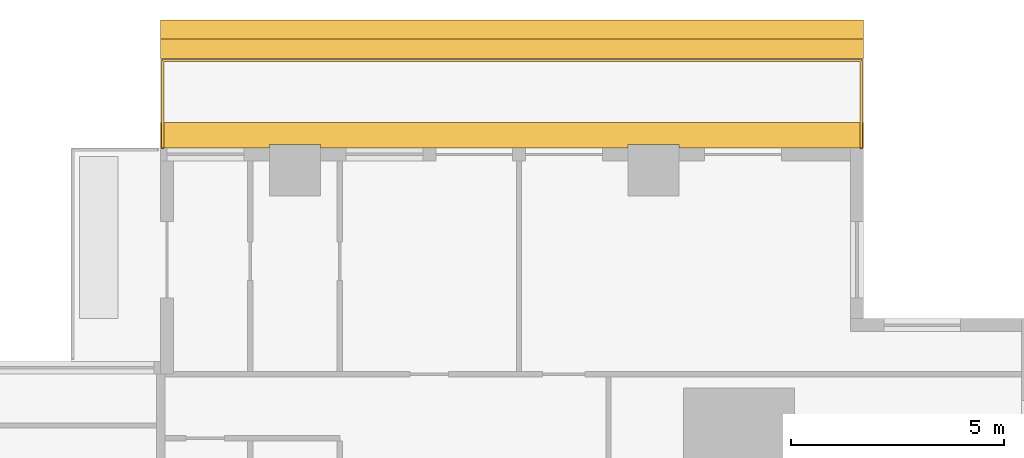
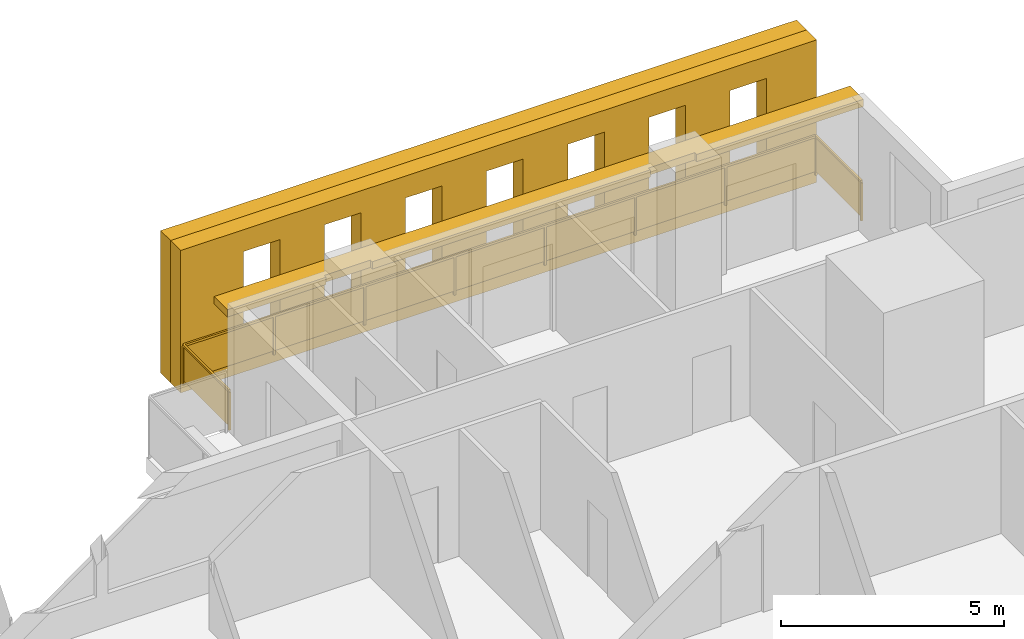
# One storey, part 16 of 16: 3 shading devices, 1 railing.
"""IFC4 building model written with IfcOpenShell, lengths in metres."""

from ifc_helpers import new_model, si_unit, direction, frame, origin, origin_2d, place, context, subcontext, project, spatial, polyline, rectangle, outline, extrude, material, layer, layer_set, type_object, element, save


model = new_model("IFC4")

# Units and contexts
model_context = context("Model", 3, precision=1e-05, world=origin(), true_north=direction((0.0, 1.0)))
body_context = subcontext(model_context, "Body", "Model", "MODEL_VIEW")
ifc_project = project(units=[si_unit("LENGTHUNIT", "METRE"), si_unit("AREAUNIT", "SQUARE_METRE"), si_unit("VOLUMEUNIT", "CUBIC_METRE"), si_unit("PLANEANGLEUNIT", "RADIAN"), si_unit("MASSUNIT", "GRAM", prefix="KILO")], contexts=[model_context])

# Site, building, storey
site_placement = place(None, origin())
site = spatial("IfcSite", under=ifc_project, at=site_placement, CompositionType="ELEMENT")
building_placement = place(site_placement, origin())
building = spatial("IfcBuilding", under=site, at=building_placement, Name="Khepri Terraces", CompositionType="ELEMENT")
storey_placement = place(building_placement, frame((0.0, 0.0, 141.60009765625)))
storey = spatial("IfcBuildingStorey", under=building, at=storey_placement, Name="L33", CompositionType="ELEMENT", Elevation=141.60009765625)

# Railing
ifc_material_1 = material(Name="Stainless steel grade 316", Category="steel")
railing_type = type_object("IfcRailingType", Name="GRD-BAL-1100", PredefinedType="GUARDRAIL", material=ifc_material_1)
railing_placement = place(storey_placement, frame((21.669921875, 25.719970703125, 0.0)))
element("IfcRailing", 1, at=railing_placement, inside=storey, type_object=railing_type, Name="Balcony guard L33 N", PredefinedType="GUARDRAIL", context=body_context, shape_type="SweptSolid", body=[
    extrude(rectangle(XDim=0.050048828125, YDim=0.06005859375, at=origin_2d()), frame((0.0, 0.0, 1.070068359375), z_axis=(0.0, 1.0, 0.0), x_axis=(-1.0, 0.0, 0.0)), (0.0, 0.0, 1.0), 2.050048828125),
    extrude(rectangle(XDim=2.0, YDim=0.011962890625, at=origin_2d()), frame((0.0, 1.02490234375, 0.10009765625), z_axis=(0.0, 0.0, 1.0), x_axis=(0.0, 1.0, 0.0)), (0.0, 0.0, 1.0), 0.93994140625),
    extrude(rectangle(XDim=0.050048828125, YDim=0.06005859375, at=origin_2d()), frame((0.0, 2.050048828125, 1.070068359375), z_axis=(-1.0, 0.0, 0.0), x_axis=(0.0, -1.0, 0.0)), (0.0, 0.0, 1.0), 16.369873046875),
    extrude(rectangle(XDim=2.28857421875, YDim=0.011962890625, at=origin_2d()), frame((-1.169189453125, 2.050048828125, 0.10009765625), z_axis=(0.0, 0.0, 1.0), x_axis=(-1.0, 0.0, 0.0)), (0.0, 0.0, 1.0), 0.93994140625),
    extrude(rectangle(XDim=2.28857421875, YDim=0.011962890625, at=origin_2d()), frame((-3.5078125, 2.050048828125, 0.10009765625), z_axis=(0.0, 0.0, 1.0), x_axis=(-1.0, 0.0, 0.0)), (0.0, 0.0, 1.0), 0.93994140625),
    extrude(rectangle(XDim=2.28857421875, YDim=0.011962890625, at=origin_2d()), frame((-5.846435546875, 2.050048828125, 0.10009765625), z_axis=(0.0, 0.0, 1.0), x_axis=(-1.0, 0.0, 0.0)), (0.0, 0.0, 1.0), 0.93994140625),
    extrude(rectangle(XDim=2.28857421875, YDim=0.011962890625, at=origin_2d()), frame((-8.18505859375, 2.050048828125, 0.10009765625), z_axis=(0.0, 0.0, 1.0), x_axis=(-1.0, 0.0, 0.0)), (0.0, 0.0, 1.0), 0.93994140625),
    extrude(rectangle(XDim=2.28857421875, YDim=0.011962890625, at=origin_2d()), frame((-10.5234375, 2.050048828125, 0.10009765625), z_axis=(0.0, 0.0, 1.0), x_axis=(-1.0, 0.0, 0.0)), (0.0, 0.0, 1.0), 0.93994140625),
    extrude(rectangle(XDim=2.28857421875, YDim=0.011962890625, at=origin_2d()), frame((-12.862060546875, 2.050048828125, 0.10009765625), z_axis=(0.0, 0.0, 1.0), x_axis=(-1.0, 0.0, 0.0)), (0.0, 0.0, 1.0), 0.93994140625),
    extrude(rectangle(XDim=2.28857421875, YDim=0.011962890625, at=origin_2d()), frame((-15.20068359375, 2.050048828125, 0.10009765625), z_axis=(0.0, 0.0, 1.0), x_axis=(-1.0, 0.0, 0.0)), (0.0, 0.0, 1.0), 0.93994140625),
    extrude(rectangle(XDim=0.050048828125, YDim=0.06005859375, at=origin_2d()), frame((-16.369873046875, 2.050048828125, 1.070068359375), z_axis=(0.0, -1.0, 0.0), x_axis=(1.0, 0.0, 0.0)), (0.0, 0.0, 1.0), 2.050048828125),
    extrude(rectangle(XDim=2.0, YDim=0.011962890625, at=origin_2d()), frame((-16.369873046875, 1.02490234375, 0.10009765625), z_axis=(0.0, 0.0, 1.0), x_axis=(0.0, -1.0, 0.0)), (0.0, 0.0, 1.0), 0.93994140625),
    extrude(rectangle(XDim=0.050048828125, YDim=0.050048828125, at=origin_2d()), origin(), (0.0, 0.0, 1.0), 1.0400390625),
    extrude(rectangle(XDim=0.050048828125, YDim=0.050048828125, at=origin_2d()), frame((0.0, 2.050048828125, 0.0)), (0.0, 0.0, 1.0), 1.0400390625),
    extrude(rectangle(XDim=0.050048828125, YDim=0.050048828125, at=origin_2d()), frame((-2.338623046875, 2.050048828125, 0.0)), (0.0, 0.0, 1.0), 1.0400390625),
    extrude(rectangle(XDim=0.050048828125, YDim=0.050048828125, at=origin_2d()), frame((-4.677001953125, 2.050048828125, 0.0)), (0.0, 0.0, 1.0), 1.0400390625),
    extrude(rectangle(XDim=0.050048828125, YDim=0.050048828125, at=origin_2d()), frame((-7.015625, 2.050048828125, 0.0)), (0.0, 0.0, 1.0), 1.0400390625),
    extrude(rectangle(XDim=0.050048828125, YDim=0.050048828125, at=origin_2d()), frame((-9.354248046875, 2.050048828125, 0.0)), (0.0, 0.0, 1.0), 1.0400390625),
    extrude(rectangle(XDim=0.050048828125, YDim=0.050048828125, at=origin_2d()), frame((-11.69287109375, 2.050048828125, 0.0)), (0.0, 0.0, 1.0), 1.0400390625),
    extrude(rectangle(XDim=0.050048828125, YDim=0.050048828125, at=origin_2d()), frame((-14.03125, 2.050048828125, 0.0)), (0.0, 0.0, 1.0), 1.0400390625),
    extrude(rectangle(XDim=0.050048828125, YDim=0.050048828125, at=origin_2d()), frame((-16.369873046875, 2.050048828125, 0.0)), (0.0, 0.0, 1.0), 1.0400390625),
    extrude(rectangle(XDim=0.050048828125, YDim=0.050048828125, at=origin_2d()), frame((-16.369873046875, 0.0, 0.0)), (0.0, 0.0, 1.0), 1.0400390625),
])

# Shading devices
ifc_material_2 = material(Name="Precast concrete C50/60 warm stone", Category="masonry")
shading_device_type_1 = type_object("IfcShadingDeviceType", Name="SCR-CELL-INNER-450", PredefinedType="USERDEFINED", material=ifc_material_2)
shading_device_1_placement = place(storey_placement, frame((21.719970703125, 27.820068359375, -0.25), z_axis=(0.0, 1.0, 0.0), x_axis=(-1.0, 0.0, 0.0)))
element("IfcShadingDevice", 2, at=shading_device_1_placement, inside=storey, type_object=shading_device_type_1, Name="Cell screen L33 N in", ObjectType="SCREEN", PredefinedType="USERDEFINED", context=body_context, shape_type="SweptSolid", body=[
    extrude(outline(polyline([(0.0, 0.0), (16.469970703125, 0.0), (16.469970703125, 3.89990234375), (0.0, 3.89990234375), (0.0, 0.0)]), holes=[polyline([(1.297607421875, 0.699951171875), (2.242431640625, 0.699951171875), (2.242431640625, 3.300048828125), (1.297607421875, 3.300048828125), (1.297607421875, 0.699951171875)]), polyline([(3.3974609375, 0.699951171875), (4.342529296875, 0.699951171875), (4.342529296875, 3.300048828125), (3.3974609375, 3.300048828125), (3.3974609375, 0.699951171875)]), polyline([(5.49755859375, 0.699951171875), (6.4423828125, 0.699951171875), (6.4423828125, 3.300048828125), (5.49755859375, 3.300048828125), (5.49755859375, 0.699951171875)]), polyline([(7.597412109375, 0.699951171875), (8.54248046875, 0.699951171875), (8.54248046875, 3.300048828125), (7.597412109375, 3.300048828125), (7.597412109375, 0.699951171875)]), polyline([(9.697509765625, 0.699951171875), (10.642578125, 0.699951171875), (10.642578125, 3.300048828125), (9.697509765625, 3.300048828125), (9.697509765625, 0.699951171875)]), polyline([(11.797607421875, 0.699951171875), (12.742431640625, 0.699951171875), (12.742431640625, 3.300048828125), (11.797607421875, 3.300048828125), (11.797607421875, 0.699951171875)]), polyline([(13.8974609375, 0.699951171875), (14.842529296875, 0.699951171875), (14.842529296875, 3.300048828125), (13.8974609375, 3.300048828125), (13.8974609375, 0.699951171875)])]), origin(), (0.0, 0.0, 1.0), 0.449951171875),
])
shading_device_type_2 = type_object("IfcShadingDeviceType", Name="SCR-CELL-OUTER-450", PredefinedType="USERDEFINED", material=ifc_material_2)
shading_device_2_placement = place(storey_placement, frame((21.719970703125, 28.27001953125, -0.25), z_axis=(0.0, 1.0, 0.0), x_axis=(-1.0, 0.0, 0.0)))
element("IfcShadingDevice", 3, at=shading_device_2_placement, inside=storey, type_object=shading_device_type_2, Name="Cell screen L33 N out", ObjectType="SCREEN", PredefinedType="USERDEFINED", context=body_context, shape_type="SweptSolid", body=[
    extrude(outline(polyline([(0.0, 0.0), (16.469970703125, 0.0), (16.469970703125, 3.89990234375), (0.0, 3.89990234375), (0.0, 0.0)]), holes=[polyline([(0.947509765625, 0.449951171875), (2.592529296875, 0.449951171875), (2.592529296875, 3.550048828125), (0.947509765625, 3.550048828125), (0.947509765625, 0.449951171875)]), polyline([(3.047607421875, 0.449951171875), (4.6923828125, 0.449951171875), (4.6923828125, 3.550048828125), (3.047607421875, 3.550048828125), (3.047607421875, 0.449951171875)]), polyline([(5.1474609375, 0.449951171875), (6.79248046875, 0.449951171875), (6.79248046875, 3.550048828125), (5.1474609375, 3.550048828125), (5.1474609375, 0.449951171875)]), polyline([(7.24755859375, 0.449951171875), (8.892578125, 0.449951171875), (8.892578125, 3.550048828125), (7.24755859375, 3.550048828125), (7.24755859375, 0.449951171875)]), polyline([(9.347412109375, 0.449951171875), (10.992431640625, 0.449951171875), (10.992431640625, 3.550048828125), (9.347412109375, 3.550048828125), (9.347412109375, 0.449951171875)]), polyline([(11.447509765625, 0.449951171875), (13.092529296875, 0.449951171875), (13.092529296875, 3.550048828125), (11.447509765625, 3.550048828125), (11.447509765625, 0.449951171875)]), polyline([(13.547607421875, 0.449951171875), (15.1923828125, 0.449951171875), (15.1923828125, 3.550048828125), (13.547607421875, 3.550048828125), (13.547607421875, 0.449951171875)])]), origin(), (0.0, 0.0, 1.0), 0.449951171875),
])
ifc_layer = layer(ifc_material_2, 0.199951171875, Name="Precast concrete C50/60 warm stone", Category="masonry")
ifc_layer_set = layer_set([ifc_layer], Name="Precast concrete C50/60 warm stone")
shading_device_type_3 = type_object("IfcShadingDeviceType", Name="SSH-BAND-STONE-200-N", PredefinedType="USERDEFINED", material=ifc_layer_set)
shading_device_3_placement = place(storey_placement, frame((0.0, 0.0, 3.099853515625)))
element("IfcShadingDevice", 4, at=shading_device_3_placement, inside=storey, type_object=shading_device_type_3, Name="Sunshade band L33 N", ObjectType="SUNSHADE", PredefinedType="USERDEFINED", context=body_context, shape_type="SweptSolid", body=[
    extrude(outline(polyline([(17.39990234375, 25.719970703125), (21.719970703125, 25.719970703125), (21.719970703125, 26.320068359375), (5.25, 26.320068359375), (5.25, 25.719970703125), (7.800048828125, 25.719970703125), (7.800048828125, 25.800048828125), (9.0, 25.800048828125), (9.0, 25.719970703125), (16.199951171875, 25.719970703125), (16.199951171875, 25.800048828125), (17.39990234375, 25.800048828125), (17.39990234375, 25.719970703125)])), origin(), (0.0, 0.0, 1.0), 0.199951171875),
])

save(model, "model.ifc")
